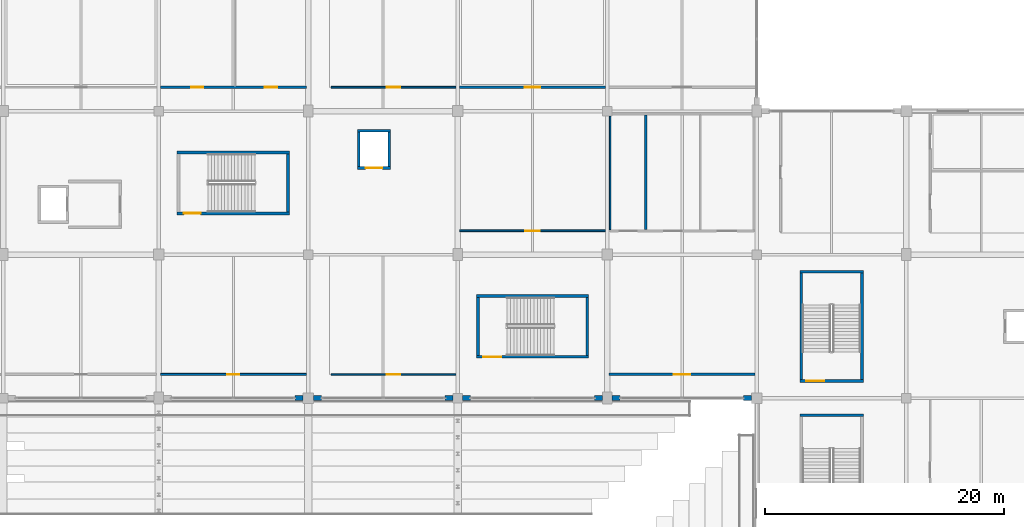
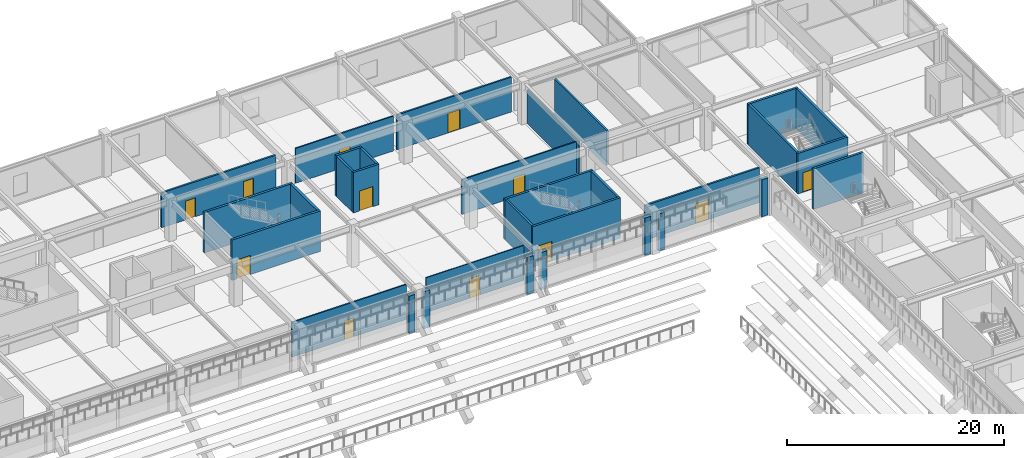
# One storey, part 91 of 134: 32 walls, 12 doors, 12 openings.
"""IFC4 building model written with IfcOpenShell, lengths in metres."""

from ifc_helpers import new_model, si_unit, direction, frame, frame_2d, origin, place, context, subcontext, project, spatial, rectangle, extrude, material, layer, layer_set, type_object, element, fill, save


model = new_model("IFC4")

# Units and contexts
model_context = context("Model", 3, precision=1e-05, world=origin(), true_north=direction((0.0, 1.0)))
body_context = subcontext(model_context, "Body", "Model", "MODEL_VIEW")
ifc_project = project(units=[si_unit("LENGTHUNIT", "METRE"), si_unit("AREAUNIT", "SQUARE_METRE"), si_unit("VOLUMEUNIT", "CUBIC_METRE"), si_unit("PLANEANGLEUNIT", "RADIAN"), si_unit("MASSUNIT", "GRAM", prefix="KILO")], contexts=[model_context])

# Site, building, storey
site_placement = place(None, origin())
site = spatial("IfcSite", under=ifc_project, at=site_placement, CompositionType="ELEMENT")
building_placement = place(site_placement, origin())
building = spatial("IfcBuilding", under=site, at=building_placement, Name="Kazenohara Klinker Stadium", CompositionType="ELEMENT")
storey_placement = place(building_placement, frame((0.0, 0.0, 5.39990234375)))
storey = spatial("IfcBuildingStorey", under=building, at=storey_placement, Name="L01", CompositionType="ELEMENT", Elevation=5.39990234375)

# Wall, opening, door
ifc_material_1 = material(Name="Concrete C40/50", Category="concrete")
ifc_layer_1 = layer(ifc_material_1, 0.22998046875)
ifc_layer_set_1 = layer_set([ifc_layer_1], Name="Concrete C40/50")
wall_type_1 = type_object("IfcWallType", Name="WAL-CORE-230", PredefinedType="SHEAR", material=ifc_layer_set_1)
wall_1_placement = place(storey_placement, frame((178.590087890625, 133.43505859375, 0.0), z_axis=(0.0, 0.0, 1.0), x_axis=(1.0, 0.0, 0.0)))
wall_1 = element("IfcWall", 1, at=wall_1_placement, inside=storey, type_object=wall_type_1, Name="Stairwell shear wall ST12 L01 South", PredefinedType="SHEAR", context=body_context, shape_type="SweptSolid", body=[
    extrude(rectangle(XDim=5.31982421875, YDim=0.22998046875, at=frame_2d((2.659912109375, 0.0))), origin(), (0.0, 0.0, 1.0), 4.550048828125),
])
opening_1_placement = place(wall_1_placement, frame((0.550048828125, 0.0, 0.0)))
opening_1 = element("IfcOpeningElement", 2, at=opening_1_placement, cuts=wall_1, Name="Opening SD02", PredefinedType="OPENING", context=body_context, shape_type="SweptSolid", body=[
    extrude(rectangle(XDim=1.5, YDim=2.199951171875, at=frame_2d((0.75, 1.10009765625))), frame((0.0, 0.125, 0.0), z_axis=(0.0, -1.0, 0.0), x_axis=(1.0, 0.0, 0.0)), (0.0, 0.0, 1.0), 0.25),
])
ifc_material_2 = material(Name="Flush painted steel fire door leaf", Category="steel")
door_type_1 = type_object("IfcDoorType", Name="DR-STR-1500x2200", OperationType="NOTDEFINED", PredefinedType="DOOR", material=ifc_material_2)
door_1_placement = place(opening_1_placement, origin())
door_1 = element("IfcDoor", 3, at=door_1_placement, inside=storey, type_object=door_type_1, Name="Escape stairwell fire door ST12-L01", OperationType="SINGLE_SWING_RIGHT", OverallHeight=2.199951171875, OverallWidth=1.5, PredefinedType="DOOR", context=body_context, shape_type="SweptSolid", body=[
    extrude(rectangle(XDim=1.5, YDim=2.199951171875, at=frame_2d((0.75, 1.10009765625))), frame((0.0, 0.02490234375, 0.0), z_axis=(0.0, -1.0, 0.0), x_axis=(1.0, 0.0, 0.0)), (0.0, 0.0, 1.0), 0.050048828125),
])
fill(opening_1, door_1)

# Walls
wall_2_placement = place(storey_placement, frame((178.590087890625, 142.56494140625, 0.0), z_axis=(0.0, 0.0, 1.0), x_axis=(1.0, 0.0, 0.0)))
element("IfcWall", 4, at=wall_2_placement, inside=storey, type_object=wall_type_1, Name="Stairwell shear wall ST12 L01 North", PredefinedType="SHEAR", context=body_context, shape_type="SweptSolid", body=[
    extrude(rectangle(XDim=5.31982421875, YDim=0.22998046875, at=frame_2d((2.659912109375, 0.0))), origin(), (0.0, 0.0, 1.0), 4.550048828125),
])
for number, where, z_axis, x_axis, name in (
    (5, (178.705078125, 133.550048828125, 0.0), (0.0, 0.0, 1.0), (0.0, 1.0, 0.0), "Stairwell shear wall ST12 L01 West"),
    (6, (183.794921875, 133.550048828125, 0.0), (0.0, 0.0, 1.0), (0.0, 1.0, 0.0), "Stairwell shear wall ST12 L01 East"),
):
    element("IfcWall", number, at=place(storey_placement, frame(where, z_axis=z_axis, x_axis=x_axis)), inside=storey, type_object=wall_type_1, Name=name, PredefinedType="SHEAR", context=body_context, shape_type="SweptSolid", body=[
        extrude(rectangle(XDim=8.89990234375, YDim=0.22998046875, at=frame_2d((4.449951171875, 0.0))), origin(), (0.0, 0.0, 1.0), 4.550048828125),
    ])

# Wall, opening, door
wall_3_placement = place(storey_placement, frame((151.570068359375, 135.455078125, 0.0), z_axis=(0.0, 0.0, 1.0), x_axis=(1.0, 0.0, 0.0)))
wall_3 = element("IfcWall", 7, at=wall_3_placement, inside=storey, type_object=wall_type_1, Name="Stairwell shear wall ST20 L01 South", PredefinedType="SHEAR", context=body_context, shape_type="SweptSolid", body=[
    extrude(rectangle(XDim=9.35986328125, YDim=0.22998046875, at=frame_2d((4.679931640625, 0.0))), origin(), (0.0, 0.0, 1.0), 4.550048828125),
])
opening_2_placement = place(wall_3_placement, frame((0.550048828125, 0.0, 0.0)))
opening_2 = element("IfcOpeningElement", 8, at=opening_2_placement, cuts=wall_3, Name="Opening SD02", PredefinedType="OPENING", context=body_context, shape_type="SweptSolid", body=[
    extrude(rectangle(XDim=1.5, YDim=2.199951171875, at=frame_2d((0.75, 1.10009765625))), frame((0.0, 0.125, 0.0), z_axis=(0.0, -1.0, 0.0), x_axis=(1.0, 0.0, 0.0)), (0.0, 0.0, 1.0), 0.25),
])
door_2_placement = place(opening_2_placement, origin())
door_2 = element("IfcDoor", 9, at=door_2_placement, inside=storey, type_object=door_type_1, Name="Escape stairwell fire door ST20-L01", OperationType="SINGLE_SWING_LEFT", OverallHeight=2.199951171875, OverallWidth=1.5, PredefinedType="DOOR", context=body_context, shape_type="SweptSolid", body=[
    extrude(rectangle(XDim=1.5, YDim=2.199951171875, at=frame_2d((0.75, 1.10009765625))), frame((0.0, 0.02490234375, 0.0), z_axis=(0.0, -1.0, 0.0), x_axis=(1.0, 0.0, 0.0)), (0.0, 0.0, 1.0), 0.050048828125),
])
fill(opening_2, door_2)

# Walls
wall_4_placement = place(storey_placement, frame((151.570068359375, 140.544921875, 0.0), z_axis=(0.0, 0.0, 1.0), x_axis=(1.0, 0.0, 0.0)))
element("IfcWall", 10, at=wall_4_placement, inside=storey, type_object=wall_type_1, Name="Stairwell shear wall ST20 L01 North", PredefinedType="SHEAR", context=body_context, shape_type="SweptSolid", body=[
    extrude(rectangle(XDim=9.35986328125, YDim=0.22998046875, at=frame_2d((4.679931640625, 0.0))), origin(), (0.0, 0.0, 1.0), 4.550048828125),
])
for number, where, z_axis, x_axis, name in (
    (11, (151.68505859375, 135.570068359375, 0.0), (0.0, 0.0, 1.0), (0.0, 1.0, 0.0), "Stairwell shear wall ST20 L01 West"),
    (12, (160.81494140625, 135.570068359375, 0.0), (0.0, 0.0, 1.0), (0.0, 1.0, 0.0), "Stairwell shear wall ST20 L01 East"),
):
    element("IfcWall", number, at=place(storey_placement, frame(where, z_axis=z_axis, x_axis=x_axis)), inside=storey, type_object=wall_type_1, Name=name, PredefinedType="SHEAR", context=body_context, shape_type="SweptSolid", body=[
        extrude(rectangle(XDim=4.85986328125, YDim=0.22998046875, at=frame_2d((2.429931640625, 0.0))), origin(), (0.0, 0.0, 1.0), 4.550048828125),
    ])
wall_5_placement = place(storey_placement, frame((178.590087890625, 130.56494140625, 0.0), z_axis=(0.0, 0.0, 1.0), x_axis=(1.0, 0.0, 0.0)))
element("IfcWall", 13, at=wall_5_placement, inside=storey, type_object=wall_type_1, Name="Stairwell shear wall ST24 L01 North", PredefinedType="SHEAR", context=body_context, shape_type="SweptSolid", body=[
    extrude(rectangle(XDim=5.31982421875, YDim=0.22998046875, at=frame_2d((2.659912109375, 0.0))), origin(), (0.0, 0.0, 1.0), 4.550048828125),
])

# Wall, opening, door
wall_6_placement = place(storey_placement, frame((141.6201171875, 151.235107421875, 0.0), z_axis=(0.0, 0.0, 1.0), x_axis=(1.0, 0.0, 0.0)))
wall_6 = element("IfcWall", 14, at=wall_6_placement, inside=storey, type_object=wall_type_1, Name="Elevator shaft wall LG02 L01 South", PredefinedType="SHEAR", context=body_context, shape_type="SweptSolid", body=[
    extrude(rectangle(XDim=2.759765625, YDim=0.22998046875, at=frame_2d((1.3798828125, 0.0))), origin(), (0.0, 0.0, 1.0), 4.550048828125),
])
opening_3_placement = place(wall_6_placement, frame((0.679931640625, 0.0, 0.0)))
opening_3 = element("IfcOpeningElement", 15, at=opening_3_placement, cuts=wall_6, Name="Opening LD03", PredefinedType="OPENING", context=body_context, shape_type="SweptSolid", body=[
    extrude(rectangle(XDim=1.39990234375, YDim=2.25, at=frame_2d((0.699951171875, 1.125))), frame((0.0, 0.125, 0.0), z_axis=(0.0, -1.0, 0.0), x_axis=(1.0, 0.0, 0.0)), (0.0, 0.0, 1.0), 0.25),
])
ifc_material_3 = material(Name="Heavy-duty stainless steel sliding goods landing door", Category="steel")
door_type_2 = type_object("IfcDoorType", Name="DR-LD03-1400x2250", OperationType="NOTDEFINED", PredefinedType="DOOR", material=ifc_material_3)
door_3_placement = place(opening_3_placement, origin())
door_3 = element("IfcDoor", 16, at=door_3_placement, inside=storey, type_object=door_type_2, Name="Elevator sliding landing door LG02-L01", OperationType="DOUBLE_DOOR_SLIDING", OverallHeight=2.25, OverallWidth=1.39990234375, PredefinedType="DOOR", context=body_context, shape_type="SweptSolid", body=[
    extrude(rectangle(XDim=1.39990234375, YDim=2.25, at=frame_2d((0.699951171875, 1.125))), frame((0.0, 0.02490234375, 0.0), z_axis=(0.0, -1.0, 0.0), x_axis=(1.0, 0.0, 0.0)), (0.0, 0.0, 1.0), 0.050048828125),
])
fill(opening_3, door_3)

# Walls
wall_7_placement = place(storey_placement, frame((141.6201171875, 154.364990234375, 0.0), z_axis=(0.0, 0.0, 1.0), x_axis=(1.0, 0.0, 0.0)))
element("IfcWall", 17, at=wall_7_placement, inside=storey, type_object=wall_type_1, Name="Elevator shaft wall LG02 L01 North", PredefinedType="SHEAR", context=body_context, shape_type="SweptSolid", body=[
    extrude(rectangle(XDim=2.759765625, YDim=0.22998046875, at=frame_2d((1.3798828125, 0.0))), origin(), (0.0, 0.0, 1.0), 4.550048828125),
])
for number, where, z_axis, x_axis, name in (
    (18, (141.735107421875, 151.35009765625, 0.0), (0.0, 0.0, 1.0), (0.0, 1.0, 0.0), "Elevator shaft wall LG02 L01 West"),
    (19, (144.264892578125, 151.35009765625, 0.0), (0.0, 0.0, 1.0), (0.0, 1.0, 0.0), "Elevator shaft wall LG02 L01 East"),
):
    element("IfcWall", number, at=place(storey_placement, frame(where, z_axis=z_axis, x_axis=x_axis)), inside=storey, type_object=wall_type_1, Name=name, PredefinedType="SHEAR", context=body_context, shape_type="SweptSolid", body=[
        extrude(rectangle(XDim=2.89990234375, YDim=0.22998046875, at=frame_2d((1.449951171875, 0.0))), origin(), (0.0, 0.0, 1.0), 4.550048828125),
    ])

# Wall, opening, door
ifc_layer_2 = layer(ifc_material_1, 0.25)
ifc_layer_set_2 = layer_set([ifc_layer_2], Name="Concrete C40/50")
wall_type_2 = type_object("IfcWallType", Name="WAL-CORE-250", PredefinedType="SHEAR", material=ifc_layer_set_2)
wall_8_placement = place(storey_placement, frame((126.550048828125, 147.455078125, 0.0), z_axis=(0.0, 0.0, 1.0), x_axis=(1.0, 0.0, 0.0)))
wall_8 = element("IfcWall", 20, at=wall_8_placement, inside=storey, type_object=wall_type_2, Name="Stairwell shear wall ST11 L01 South", PredefinedType="SHEAR", context=body_context, shape_type="SweptSolid", body=[
    extrude(rectangle(XDim=9.39990234375, YDim=0.25, at=frame_2d((4.699951171875, 0.0))), origin(), (0.0, 0.0, 1.0), 4.550048828125),
])
opening_4_placement = place(wall_8_placement, frame((0.550048828125, 0.0, 0.0)))
opening_4 = element("IfcOpeningElement", 21, at=opening_4_placement, cuts=wall_8, Name="Opening SD01", PredefinedType="OPENING", context=body_context, shape_type="SweptSolid", body=[
    extrude(rectangle(XDim=1.39990234375, YDim=2.14990234375, at=frame_2d((0.699951171875, 1.074951171875))), frame((0.0, 0.135009765625, 0.0), z_axis=(0.0, -1.0, 0.0), x_axis=(1.0, 0.0, 0.0)), (0.0, 0.0, 1.0), 0.27001953125),
])
door_type_3 = type_object("IfcDoorType", Name="DR-STR-1400x2150", OperationType="NOTDEFINED", PredefinedType="DOOR", material=ifc_material_2)
door_4_placement = place(opening_4_placement, origin())
door_4 = element("IfcDoor", 22, at=door_4_placement, inside=storey, type_object=door_type_3, Name="Escape stairwell fire door ST11-L01", OperationType="SINGLE_SWING_LEFT", OverallHeight=2.14990234375, OverallWidth=1.39990234375, PredefinedType="DOOR", context=body_context, shape_type="SweptSolid", body=[
    extrude(rectangle(XDim=1.39990234375, YDim=2.14990234375, at=frame_2d((0.699951171875, 1.074951171875))), frame((0.0, 0.02490234375, 0.0), z_axis=(0.0, -1.0, 0.0), x_axis=(1.0, 0.0, 0.0)), (0.0, 0.0, 1.0), 0.050048828125),
])
fill(opening_4, door_4)

# Walls
wall_9_placement = place(storey_placement, frame((126.550048828125, 152.544921875, 0.0), z_axis=(0.0, 0.0, 1.0), x_axis=(1.0, 0.0, 0.0)))
element("IfcWall", 23, at=wall_9_placement, inside=storey, type_object=wall_type_2, Name="Stairwell shear wall ST11 L01 North", PredefinedType="SHEAR", context=body_context, shape_type="SweptSolid", body=[
    extrude(rectangle(XDim=9.39990234375, YDim=0.25, at=frame_2d((4.699951171875, 0.0))), origin(), (0.0, 0.0, 1.0), 4.550048828125),
])
wall_10_placement = place(storey_placement, frame((135.824951171875, 147.580078125, 0.0), z_axis=(0.0, 0.0, 1.0), x_axis=(0.0, 1.0, 0.0)))
element("IfcWall", 24, at=wall_10_placement, inside=storey, type_object=wall_type_2, Name="Stairwell shear wall ST11 L01 East", PredefinedType="SHEAR", context=body_context, shape_type="SweptSolid", body=[
    extrude(rectangle(XDim=4.83984375, YDim=0.25, at=frame_2d((2.419921875, 0.0))), origin(), (0.0, 0.0, 1.0), 4.550048828125),
])
ifc_material_4 = material(Name="Clinker brick masonry", Category="masonry")
ifc_layer_3 = layer(ifc_material_4, 0.409912109375)
ifc_layer_set_3 = layer_set([ifc_layer_3], Name="Clinker brick masonry")
wall_type_3 = type_object("IfcWallType", Name="WAL-EXT-CB410", PredefinedType="SOLIDWALL", material=ifc_layer_set_3)
wall_11_placement = place(storey_placement, frame((136.39599609375, 132.0, 0.0), z_axis=(0.0, 0.0, 1.0), x_axis=(1.0, 0.0, 0.0)))
element("IfcWall", 25, at=wall_11_placement, inside=storey, type_object=wall_type_3, Name="Clinker brick curtain-wall jamb pier L01 X10-11 B", PredefinedType="SOLIDWALL", context=body_context, shape_type="SweptSolid", body=[
    extrude(rectangle(XDim=0.64990234375, YDim=0.409912109375, at=frame_2d((0.324951171875, 0.0))), origin(), (0.0, 0.0, 1.0), 4.2001953125),
])
for number, where, z_axis, x_axis, name in (
    (26, (137.9541015625, 132.0, 0.0), (0.0, 0.0, 1.0), (1.0, 0.0, 0.0), "Clinker brick curtain-wall jamb pier L01 X11-11 A"),
    (27, (148.946044921875, 132.0, 0.0), (0.0, 0.0, 1.0), (1.0, 0.0, 0.0), "Clinker brick curtain-wall jamb pier L01 X11-11 B"),
):
    element("IfcWall", number, at=place(storey_placement, frame(where, z_axis=z_axis, x_axis=x_axis)), inside=storey, type_object=wall_type_3, Name=name, PredefinedType="SOLIDWALL", context=body_context, shape_type="SweptSolid", body=[
        extrude(rectangle(XDim=0.64990234375, YDim=0.409912109375, at=frame_2d((0.324951171875, 0.0))), origin(), (0.0, 0.0, 1.0), 4.150146484375),
    ])
for number, where, z_axis, x_axis, name in (
    (28, (150.404052734375, 132.0, 0.0), (0.0, 0.0, 1.0), (1.0, 0.0, 0.0), "Clinker brick curtain-wall jamb pier L01 X12-11 A"),
    (29, (161.446044921875, 132.0, 0.0), (0.0, 0.0, 1.0), (1.0, 0.0, 0.0), "Clinker brick curtain-wall jamb pier L01 X12-11 B"),
):
    element("IfcWall", number, at=place(storey_placement, frame(where, z_axis=z_axis, x_axis=x_axis)), inside=storey, type_object=wall_type_3, Name=name, PredefinedType="SOLIDWALL", context=body_context, shape_type="SweptSolid", body=[
        extrude(rectangle(XDim=0.64990234375, YDim=0.409912109375, at=frame_2d((0.324951171875, 0.0))), origin(), (0.0, 0.0, 1.0), 4.2001953125),
    ])
for number, where, z_axis, x_axis, name in (
    (30, (162.904052734375, 132.0, 0.0), (0.0, 0.0, 1.0), (1.0, 0.0, 0.0), "Clinker brick curtain-wall jamb pier L01 X13-11 A"),
    (31, (173.89599609375, 132.0, 0.0), (0.0, 0.0, 1.0), (1.0, 0.0, 0.0), "Clinker brick curtain-wall jamb pier L01 X13-11 B"),
):
    element("IfcWall", number, at=place(storey_placement, frame(where, z_axis=z_axis, x_axis=x_axis)), inside=storey, type_object=wall_type_3, Name=name, PredefinedType="SOLIDWALL", context=body_context, shape_type="SweptSolid", body=[
        extrude(rectangle(XDim=0.64990234375, YDim=0.409912109375, at=frame_2d((0.324951171875, 0.0))), origin(), (0.0, 0.0, 1.0), 4.150146484375),
    ])

# Wall, opening, door
ifc_material_5 = material(Name="Fire-rated gypsum board on acoustic studs", Category="gypsum")
ifc_layer_4 = layer(ifc_material_5, 0.110107421875)
ifc_layer_set_4 = layer_set([ifc_layer_4], Name="Fire-rated gypsum board on acoustic studs")
wall_type_4 = type_object("IfcWallType", Name="WAL-INT-P110", PredefinedType="PARTITIONING", material=ifc_layer_set_4)
wall_12_placement = place(storey_placement, frame((139.419921875, 133.989990234375, 0.0), z_axis=(0.0, 0.0, 1.0), x_axis=(1.0, 0.0, 0.0)))
wall_12 = element("IfcWall", 32, at=wall_12_placement, inside=storey, type_object=wall_type_4, Name="Interior partition wall PT01 SPC-L01-11-11-1-1", PredefinedType="PARTITIONING", context=body_context, shape_type="SweptSolid", body=[
    extrude(rectangle(XDim=10.420166015625, YDim=0.110107421875, at=frame_2d((5.2099609375, 0.0))), origin(), (0.0, 0.0, 1.0), 3.920166015625),
])
opening_5_placement = place(wall_12_placement, frame((4.64990234375, 0.0, 0.0)))
opening_5 = element("IfcOpeningElement", 33, at=opening_5_placement, cuts=wall_12, Name="Opening ID09", PredefinedType="OPENING", context=body_context, shape_type="SweptSolid", body=[
    extrude(rectangle(XDim=1.1201171875, YDim=2.179931640625, at=frame_2d((0.56005859375, 1.08984375))), frame((0.0, 0.06494140625, 0.0), z_axis=(0.0, -1.0, 0.0), x_axis=(1.0, 0.0, 0.0)), (0.0, 0.0, 1.0), 0.130126953125),
])
ifc_material_6 = material(Name="Solid-core Hokkaido oak fire door", Category="wood")
door_type_4 = type_object("IfcDoorType", Name="DR-INT-09", OperationType="NOTDEFINED", PredefinedType="DOOR", material=ifc_material_6)
door_5_placement = place(opening_5_placement, origin())
door_5 = element("IfcDoor", 34, at=door_5_placement, inside=storey, type_object=door_type_4, Name="Interior door ID09 Community Martial Arts Fitness Studio L01-1111A", OperationType="SINGLE_SWING_RIGHT", OverallHeight=2.179931640625, OverallWidth=1.1201171875, PredefinedType="DOOR", context=body_context, shape_type="SweptSolid", body=[
    extrude(rectangle(XDim=1.1201171875, YDim=2.179931640625, at=frame_2d((0.56005859375, 1.08984375))), frame((0.0, 0.02490234375, 0.0), z_axis=(0.0, -1.0, 0.0), x_axis=(1.0, 0.0, 0.0)), (0.0, 0.0, 1.0), 0.050048828125),
])
fill(opening_5, door_5)

# Wall
ifc_layer_5 = layer(ifc_material_5, 0.1201171875)
ifc_layer_set_5 = layer_set([ifc_layer_5], Name="Fire-rated gypsum board on acoustic studs")
wall_type_5 = type_object("IfcWallType", Name="WAL-INT-P120", PredefinedType="PARTITIONING", material=ifc_layer_set_5)
wall_13_placement = place(storey_placement, frame((162.739990234375, 146.080078125, 0.0), z_axis=(0.0, 0.0, 1.0), x_axis=(0.0, 1.0, 0.0)))
element("IfcWall", 35, at=wall_13_placement, inside=storey, type_object=wall_type_5, Name="Interior partition wall PT02 SPC-L01-13-12-1-1", PredefinedType="PARTITIONING", context=body_context, shape_type="SweptSolid", body=[
    extrude(rectangle(XDim=9.515869140625, YDim=0.1201171875, at=frame_2d((4.7578125, 0.0))), origin(), (0.0, 0.0, 1.0), 3.81005859375),
])

# Wall, opening, door
ifc_layer_6 = layer(ifc_material_5, 0.139892578125)
ifc_layer_set_6 = layer_set([ifc_layer_6], Name="Fire-rated gypsum board on acoustic studs")
wall_type_6 = type_object("IfcWallType", Name="WAL-INT-P140", PredefinedType="PARTITIONING", material=ifc_layer_set_6)
wall_14_placement = place(storey_placement, frame((150.159912109375, 145.989990234375, 0.0), z_axis=(0.0, 0.0, 1.0), x_axis=(1.0, 0.0, 0.0)))
wall_14 = element("IfcWall", 36, at=wall_14_placement, inside=storey, type_object=wall_type_6, Name="Interior partition wall PT03 SPC-L01-12-12-1-1", PredefinedType="PARTITIONING", context=body_context, shape_type="SweptSolid", body=[
    extrude(rectangle(XDim=12.18017578125, YDim=0.139892578125, at=frame_2d((6.090087890625, 0.0))), origin(), (0.0, 0.0, 1.0), 3.920166015625),
])
opening_6_placement = place(wall_14_placement, frame((5.469970703125, 0.0, 0.0)))
opening_6 = element("IfcOpeningElement", 37, at=opening_6_placement, cuts=wall_14, Name="Opening ID13", PredefinedType="OPENING", context=body_context, shape_type="SweptSolid", body=[
    extrude(rectangle(XDim=1.239990234375, YDim=2.219970703125, at=frame_2d((0.6201171875, 1.10986328125))), frame((0.0, 0.080078125, 0.0), z_axis=(0.0, -1.0, 0.0), x_axis=(1.0, 0.0, 0.0)), (0.0, 0.0, 1.0), 0.159912109375),
])
door_type_5 = type_object("IfcDoorType", Name="DR-INT-13", OperationType="NOTDEFINED", PredefinedType="DOOR", material=ifc_material_6)
door_6_placement = place(opening_6_placement, origin())
door_6 = element("IfcDoor", 38, at=door_6_placement, inside=storey, type_object=door_type_5, Name="Interior door ID13 Lower Concourse Spectator Dining Pavilion L01-1212A", OperationType="SINGLE_SWING_RIGHT", OverallHeight=2.219970703125, OverallWidth=1.239990234375, PredefinedType="DOOR", context=body_context, shape_type="SweptSolid", body=[
    extrude(rectangle(XDim=1.239990234375, YDim=2.219970703125, at=frame_2d((0.6201171875, 1.10986328125))), frame((0.0, 0.02490234375, 0.0), z_axis=(0.0, -1.0, 0.0), x_axis=(1.0, 0.0, 0.0)), (0.0, 0.0, 1.0), 0.050048828125),
])
fill(opening_6, door_6)

ifc_layer_7 = layer(ifc_material_5, 0.14990234375)
ifc_layer_set_7 = layer_set([ifc_layer_7], Name="Fire-rated gypsum board on acoustic studs")
wall_type_7 = type_object("IfcWallType", Name="WAL-INT-P150", PredefinedType="PARTITIONING", material=ifc_layer_set_7)
wall_15_placement = place(storey_placement, frame((125.159912109375, 133.989990234375, 0.0), z_axis=(0.0, 0.0, 1.0), x_axis=(1.0, 0.0, 0.0)))
wall_15 = element("IfcWall", 39, at=wall_15_placement, inside=storey, type_object=wall_type_7, Name="Interior partition wall PT04 SPC-L01-10-11-1-1", PredefinedType="PARTITIONING", context=body_context, shape_type="SweptSolid", body=[
    extrude(rectangle(XDim=12.18017578125, YDim=0.14990234375, at=frame_2d((6.090087890625, 0.0))), origin(), (0.0, 0.0, 1.0), 3.920166015625),
])
opening_7_placement = place(wall_15_placement, frame((5.590087890625, 0.0, 0.0)))
opening_7 = element("IfcOpeningElement", 40, at=opening_7_placement, cuts=wall_15, Name="Opening ID05", PredefinedType="OPENING", context=body_context, shape_type="SweptSolid", body=[
    extrude(rectangle(XDim=1.0, YDim=2.139892578125, at=frame_2d((0.5, 1.06982421875))), frame((0.0, 0.0849609375, 0.0), z_axis=(0.0, -1.0, 0.0), x_axis=(1.0, 0.0, 0.0)), (0.0, 0.0, 1.0), 0.169921875),
])
door_type_6 = type_object("IfcDoorType", Name="DR-INT-05", OperationType="NOTDEFINED", PredefinedType="DOOR", material=ifc_material_6)
door_7_placement = place(opening_7_placement, origin())
door_7 = element("IfcDoor", 41, at=door_7_placement, inside=storey, type_object=door_type_6, Name="Interior door ID05 Youth Sports Coaching Classroom L01-1011A", OperationType="SINGLE_SWING_RIGHT", OverallHeight=2.139892578125, OverallWidth=1.0, PredefinedType="DOOR", context=body_context, shape_type="SweptSolid", body=[
    extrude(rectangle(XDim=1.0, YDim=2.139892578125, at=frame_2d((0.5, 1.06982421875))), frame((0.0, 0.02490234375, 0.0), z_axis=(0.0, -1.0, 0.0), x_axis=(1.0, 0.0, 0.0)), (0.0, 0.0, 1.0), 0.050048828125),
])
fill(opening_7, door_7)

wall_16_placement = place(storey_placement, frame((139.419921875, 157.989990234375, 0.0), z_axis=(0.0, 0.0, 1.0), x_axis=(1.0, 0.0, 0.0)))
wall_16 = element("IfcWall", 42, at=wall_16_placement, inside=storey, type_object=wall_type_7, Name="Interior partition wall PT04 SPC-L01-11-13-1-1", PredefinedType="PARTITIONING", context=body_context, shape_type="SweptSolid", body=[
    extrude(rectangle(XDim=10.420166015625, YDim=0.14990234375, at=frame_2d((5.2099609375, 0.0))), origin(), (0.0, 0.0, 1.0), 3.920166015625),
])
opening_8_placement = place(wall_16_placement, frame((4.635009765625, 0.0, 0.0)))
opening_8 = element("IfcOpeningElement", 43, at=opening_8_placement, cuts=wall_16, Name="Opening ID10", PredefinedType="OPENING", context=body_context, shape_type="SweptSolid", body=[
    extrude(rectangle(XDim=1.14990234375, YDim=2.14990234375, at=frame_2d((0.574951171875, 1.074951171875))), frame((0.0, 0.0849609375, 0.0), z_axis=(0.0, -1.0, 0.0), x_axis=(1.0, 0.0, 0.0)), (0.0, 0.0, 1.0), 0.169921875),
])
door_type_7 = type_object("IfcDoorType", Name="DR-INT-10", OperationType="NOTDEFINED", PredefinedType="DOOR", material=ifc_material_6)
door_8_placement = place(opening_8_placement, origin())
door_8 = element("IfcDoor", 44, at=door_8_placement, inside=storey, type_object=door_type_7, Name="Interior door ID10 Community Martial Arts Fitness Studio L01-1113A", OperationType="SINGLE_SWING_LEFT", OverallHeight=2.14990234375, OverallWidth=1.14990234375, PredefinedType="DOOR", context=body_context, shape_type="SweptSolid", body=[
    extrude(rectangle(XDim=1.14990234375, YDim=2.14990234375, at=frame_2d((0.574951171875, 1.074951171875))), frame((0.0, 0.02490234375, 0.0), z_axis=(0.0, -1.0, 0.0), x_axis=(1.0, 0.0, 0.0)), (0.0, 0.0, 1.0), 0.050048828125),
])
fill(opening_8, door_8)

ifc_layer_8 = layer(ifc_material_5, 0.169921875)
ifc_layer_set_8 = layer_set([ifc_layer_8], Name="Fire-rated gypsum board on acoustic studs")
wall_type_8 = type_object("IfcWallType", Name="WAL-INT-P170", PredefinedType="PARTITIONING", material=ifc_layer_set_8)
wall_17_placement = place(storey_placement, frame((150.159912109375, 157.989990234375, 0.0), z_axis=(0.0, 0.0, 1.0), x_axis=(1.0, 0.0, 0.0)))
wall_17 = element("IfcWall", 45, at=wall_17_placement, inside=storey, type_object=wall_type_8, Name="Interior partition wall PT05 SPC-L01-12-13-1-1", PredefinedType="PARTITIONING", context=body_context, shape_type="SweptSolid", body=[
    extrude(rectangle(XDim=12.18017578125, YDim=0.169921875, at=frame_2d((6.090087890625, 0.0))), origin(), (0.0, 0.0, 1.0), 3.920166015625),
])
opening_9_placement = place(wall_17_placement, frame((5.455078125, 0.0, 0.0)))
opening_9 = element("IfcOpeningElement", 46, at=opening_9_placement, cuts=wall_17, Name="Opening ID14", PredefinedType="OPENING", context=body_context, shape_type="SweptSolid", body=[
    extrude(rectangle(XDim=1.27001953125, YDim=2.199951171875, at=frame_2d((0.635009765625, 1.10009765625))), frame((0.0, 0.094970703125, 0.0), z_axis=(0.0, -1.0, 0.0), x_axis=(1.0, 0.0, 0.0)), (0.0, 0.0, 1.0), 0.18994140625),
])
door_type_8 = type_object("IfcDoorType", Name="DR-INT-14", OperationType="NOTDEFINED", PredefinedType="DOOR", material=ifc_material_6)
door_9_placement = place(opening_9_placement, origin())
door_9 = element("IfcDoor", 47, at=door_9_placement, inside=storey, type_object=door_type_8, Name="Interior door ID14 Family Sensory Hospitality Lounge L01-1213A", OperationType="SINGLE_SWING_LEFT", OverallHeight=2.199951171875, OverallWidth=1.27001953125, PredefinedType="DOOR", context=body_context, shape_type="SweptSolid", body=[
    extrude(rectangle(XDim=1.27001953125, YDim=2.199951171875, at=frame_2d((0.635009765625, 1.10009765625))), frame((0.0, 0.02490234375, 0.0), z_axis=(0.0, -1.0, 0.0), x_axis=(1.0, 0.0, 0.0)), (0.0, 0.0, 1.0), 0.050048828125),
])
fill(opening_9, door_9)

# Wall, openings, doors
ifc_layer_9 = layer(ifc_material_5, 0.18994140625)
ifc_layer_set_9 = layer_set([ifc_layer_9], Name="Fire-rated gypsum board on acoustic studs")
wall_type_9 = type_object("IfcWallType", Name="WAL-INT-P190", PredefinedType="PARTITIONING", material=ifc_layer_set_9)
wall_18_placement = place(storey_placement, frame((125.159912109375, 157.989990234375, 0.0), z_axis=(0.0, 0.0, 1.0), x_axis=(1.0, 0.0, 0.0)))
wall_18 = element("IfcWall", 48, at=wall_18_placement, inside=storey, type_object=wall_type_9, Name="Interior partition wall PT06 SPC-L01-10-13-1-1", PredefinedType="PARTITIONING", context=body_context, shape_type="SweptSolid", body=[
    extrude(rectangle(XDim=12.18017578125, YDim=0.18994140625, at=frame_2d((6.090087890625, 0.0))), origin(), (0.0, 0.0, 1.0), 3.920166015625),
])
opening_10_placement = place(wall_18_placement, frame((2.55078125, 0.0, 0.0)))
opening_10 = element("IfcOpeningElement", 49, at=opening_10_placement, cuts=wall_18, Name="Opening ID06", PredefinedType="OPENING", context=body_context, shape_type="SweptSolid", body=[
    extrude(rectangle(XDim=1.030029296875, YDim=2.1201171875, at=frame_2d((0.51513671875, 1.06005859375))), frame((0.0, 0.10498046875, 0.0), z_axis=(0.0, -1.0, 0.0), x_axis=(1.0, 0.0, 0.0)), (0.0, 0.0, 1.0), 0.2099609375),
])
opening_11_placement = place(wall_18_placement, frame((8.705810546875, 0.0, 0.0)))
opening_11 = element("IfcOpeningElement", 50, at=opening_11_placement, cuts=wall_18, Name="Opening ID07", PredefinedType="OPENING", context=body_context, shape_type="SweptSolid", body=[
    extrude(rectangle(XDim=1.06005859375, YDim=2.14990234375, at=frame_2d((0.530029296875, 1.074951171875))), frame((0.0, 0.10498046875, 0.0), z_axis=(0.0, -1.0, 0.0), x_axis=(1.0, 0.0, 0.0)), (0.0, 0.0, 1.0), 0.2099609375),
])
door_type_9 = type_object("IfcDoorType", Name="DR-INT-06", OperationType="NOTDEFINED", PredefinedType="DOOR", material=ifc_material_6)
door_10_placement = place(opening_10_placement, origin())
door_10 = element("IfcDoor", 51, at=door_10_placement, inside=storey, type_object=door_type_9, Name="Interior door ID06 Supporter Scarf and Jersey Retail Shop L01-1013A", OperationType="SINGLE_SWING_LEFT", OverallHeight=2.1201171875, OverallWidth=1.030029296875, PredefinedType="DOOR", context=body_context, shape_type="SweptSolid", body=[
    extrude(rectangle(XDim=1.030029296875, YDim=2.1201171875, at=frame_2d((0.51513671875, 1.06005859375))), frame((0.0, 0.02490234375, 0.0), z_axis=(0.0, -1.0, 0.0), x_axis=(1.0, 0.0, 0.0)), (0.0, 0.0, 1.0), 0.050048828125),
])
fill(opening_10, door_10)
door_type_10 = type_object("IfcDoorType", Name="DR-INT-07", OperationType="NOTDEFINED", PredefinedType="DOOR", material=ifc_material_6)
door_11_placement = place(opening_11_placement, origin())
door_11 = element("IfcDoor", 52, at=door_11_placement, inside=storey, type_object=door_type_10, Name="Interior door ID07 Youth Sports Coaching Classroom L01-1013B", OperationType="SINGLE_SWING_RIGHT", OverallHeight=2.14990234375, OverallWidth=1.06005859375, PredefinedType="DOOR", context=body_context, shape_type="SweptSolid", body=[
    extrude(rectangle(XDim=1.06005859375, YDim=2.14990234375, at=frame_2d((0.530029296875, 1.074951171875))), frame((0.0, 0.02490234375, 0.0), z_axis=(0.0, -1.0, 0.0), x_axis=(1.0, 0.0, 0.0)), (0.0, 0.0, 1.0), 0.050048828125),
])
fill(opening_11, door_11)

# Wall, opening, door
wall_19_placement = place(storey_placement, frame((162.659912109375, 133.989990234375, 0.0), z_axis=(0.0, 0.0, 1.0), x_axis=(1.0, 0.0, 0.0)))
wall_19 = element("IfcWall", 53, at=wall_19_placement, inside=storey, type_object=wall_type_9, Name="Interior partition wall PT06 SPC-L01-13-11-1-1", PredefinedType="PARTITIONING", context=body_context, shape_type="SweptSolid", body=[
    extrude(rectangle(XDim=12.18017578125, YDim=0.18994140625, at=frame_2d((6.090087890625, 0.0))), origin(), (0.0, 0.0, 1.0), 3.920166015625),
])
opening_12_placement = place(wall_19_placement, frame((5.389892578125, 0.0, 0.0)))
opening_12 = element("IfcOpeningElement", 54, at=opening_12_placement, cuts=wall_19, Name="Opening ID18", PredefinedType="OPENING", context=body_context, shape_type="SweptSolid", body=[
    extrude(rectangle(XDim=1.39990234375, YDim=2.239990234375, at=frame_2d((0.699951171875, 1.1201171875))), frame((0.0, 0.10498046875, 0.0), z_axis=(0.0, -1.0, 0.0), x_axis=(1.0, 0.0, 0.0)), (0.0, 0.0, 1.0), 0.2099609375),
])
door_type_11 = type_object("IfcDoorType", Name="DR-INT-18", OperationType="NOTDEFINED", PredefinedType="DOOR", material=ifc_material_6)
door_12_placement = place(opening_12_placement, origin())
door_12 = element("IfcDoor", 55, at=door_12_placement, inside=storey, type_object=door_type_11, Name="Interior door ID18 Concourse Supporter Beer Dining Hall L01-1311A", OperationType="SINGLE_SWING_LEFT", OverallHeight=2.239990234375, OverallWidth=1.39990234375, PredefinedType="DOOR", context=body_context, shape_type="SweptSolid", body=[
    extrude(rectangle(XDim=1.39990234375, YDim=2.239990234375, at=frame_2d((0.699951171875, 1.1201171875))), frame((0.0, 0.02490234375, 0.0), z_axis=(0.0, -1.0, 0.0), x_axis=(1.0, 0.0, 0.0)), (0.0, 0.0, 1.0), 0.050048828125),
])
fill(opening_12, door_12)

# Wall
wall_20_placement = place(storey_placement, frame((165.72412109375, 146.080078125, 0.0), z_axis=(0.0, 0.0, 1.0), x_axis=(0.0, 1.0, 0.0)))
element("IfcWall", 56, at=wall_20_placement, inside=storey, type_object=wall_type_9, Name="Interior partition wall PT06 SPC-L01-13-12-1-5", PredefinedType="PARTITIONING", context=body_context, shape_type="SweptSolid", body=[
    extrude(rectangle(XDim=9.599853515625, YDim=0.18994140625, at=frame_2d((4.7998046875, 0.0))), origin(), (0.0, 0.0, 1.0), 3.920166015625),
])

save(model, "model.ifc")
